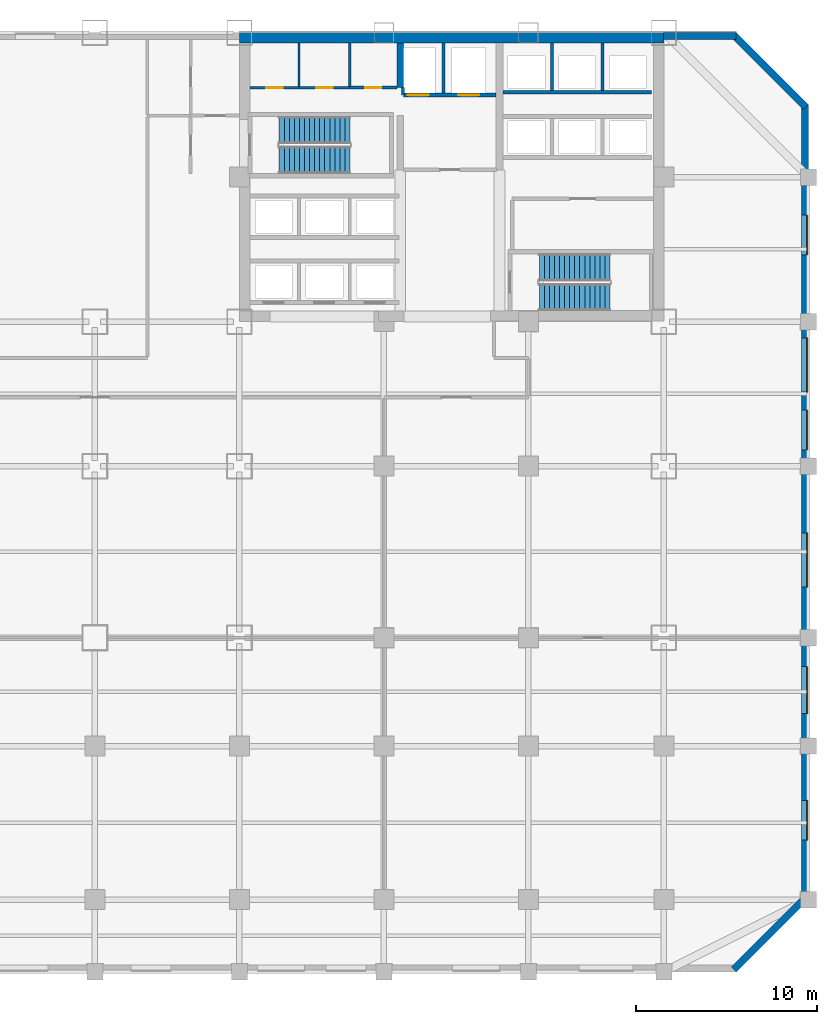
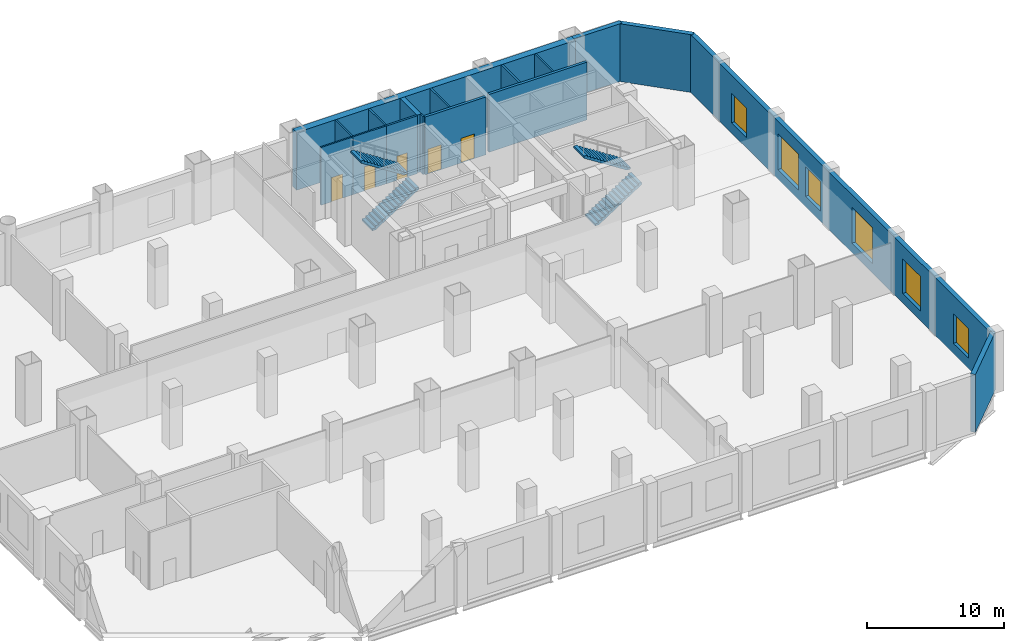
# One storey, part 7 of 9: 17 walls, 6 windows, 5 doors, 4 stair flights, 11 openings, 2 elements without a shape of their own.
"""IFC4 building model written with IfcOpenShell, lengths in metres."""

from ifc_helpers import new_model, si_unit, direction, frame, frame_2d, origin, place, context, subcontext, project, spatial, polyline, rectangle, outline, extrude, material, layer, layer_set, type_object, element, fill, aggregate, save


model = new_model("IFC4")

# Units and contexts
model_context = context("Model", 3, precision=1e-05, world=origin(), true_north=direction((0.0, 1.0)))
body_context = subcontext(model_context, "Body", "Model", "MODEL_VIEW")
ifc_project = project(units=[si_unit("LENGTHUNIT", "METRE"), si_unit("AREAUNIT", "SQUARE_METRE"), si_unit("VOLUMEUNIT", "CUBIC_METRE"), si_unit("PLANEANGLEUNIT", "RADIAN"), si_unit("MASSUNIT", "GRAM", prefix="KILO")], contexts=[model_context])

# Site, building, storey
site_placement = place(None, origin())
site = spatial("IfcSite", under=ifc_project, at=site_placement, CompositionType="ELEMENT")
building_placement = place(site_placement, origin())
building = spatial("IfcBuilding", under=site, at=building_placement, Name="Qianrong Seaharbour Tower", CompositionType="ELEMENT")
storey_placement = place(building_placement, frame((0.0, 0.0, 22.800048828125)))
storey = spatial("IfcBuildingStorey", under=building, at=storey_placement, Name="L05", CompositionType="ELEMENT", Elevation=22.800048828125)

# Walls
ifc_material_1 = material(Name="Concrete C70/85", Category="concrete")
ifc_layer_1 = layer(ifc_material_1, 0.580078125)
ifc_layer_set_1 = layer_set([ifc_layer_1], Name="Concrete C70/85")
wall_type_1 = type_object("IfcWallType", Name="WALL-CORE-580", PredefinedType="SHEAR", material=ifc_layer_set_1)
wall_1_placement = place(storey_placement, frame((40.5, 51.7099609375, 0.0), z_axis=(0.0, 0.0, 1.0), x_axis=(1.0, 0.0, 0.0)))
element("IfcWall", 1, at=wall_1_placement, inside=storey, type_object=wall_type_1, Name="L05 North Core Shear Wall", PredefinedType="SHEAR", context=body_context, shape_type="SweptSolid", body=[
    extrude(rectangle(XDim=23.5, YDim=0.580078125, at=frame_2d((11.75, 0.0))), origin(), (0.0, 0.0, 1.0), 5.14990234375),
])
ifc_material_2 = material(Name="Concrete C60/75", Category="concrete")
ifc_layer_2 = layer(ifc_material_2, 0.3798828125)
ifc_layer_set_2 = layer_set([ifc_layer_2], Name="Concrete C60/75")
wall_type_2 = type_object("IfcWallType", Name="WALL-CORE-INT-380", PredefinedType="SHEAR", material=ifc_layer_set_2)
wall_2_placement = place(storey_placement, frame((49.39990234375, 48.949951171875, 0.0), z_axis=(0.0, 0.0, 1.0), x_axis=(0.0, 1.0, 0.0)))
element("IfcWall", 2, at=wall_2_placement, inside=storey, type_object=wall_type_2, Name="L05 Internal Core Shear Wall IW1N2", PredefinedType="SHEAR", context=body_context, shape_type="SweptSolid", body=[
    extrude(rectangle(XDim=2.469970703125, YDim=0.3798828125, at=frame_2d((1.23486328125, 0.0))), origin(), (0.0, 0.0, 1.0), 5.14990234375),
])

# Wall, opening, door
ifc_material_3 = material(Name="Fire-rated acoustic gypsum board partition")
ifc_layer_3 = layer(ifc_material_3, 0.1650390625)
ifc_layer_set_3 = layer_set([ifc_layer_3], Name="Fire-rated acoustic gypsum board partition")
wall_type_3 = type_object("IfcWallType", Name="WALL-CORR-PART-165", PredefinedType="PARTITIONING", material=ifc_layer_set_3)
wall_3_placement = place(storey_placement, frame((46.60009765625, 48.949951171875, 0.0), z_axis=(0.0, 0.0, 1.0), x_axis=(1.0, 0.0, 0.0)))
wall_3 = element("IfcWall", 3, at=wall_3_placement, inside=storey, type_object=wall_type_3, Name="L05 Interior Partition Wall 008", PredefinedType="PARTITIONING", context=body_context, shape_type="SweptSolid", body=[
    extrude(rectangle(XDim=2.617919921875, YDim=0.1650390625, at=frame_2d((1.30908203125, 0.0))), origin(), (0.0, 0.0, 1.0), 5.14990234375),
])
opening_1_placement = place(wall_3_placement, frame((0.85888671875, 0.0, 0.0)))
opening_1 = element("IfcOpeningElement", 4, at=opening_1_placement, cuts=wall_3, Name="Opening DS-01", PredefinedType="OPENING", context=body_context, shape_type="SweptSolid", body=[
    extrude(rectangle(XDim=0.89990234375, YDim=2.14990234375, at=frame_2d((0.449951171875, 1.074951171875))), frame((0.0, 0.092529296875, 0.0), z_axis=(0.0, -1.0, 0.0), x_axis=(1.0, 0.0, 0.0)), (0.0, 0.0, 1.0), 0.18505859375),
])
ifc_material_4 = material(Name="Acoustic timber and galvanized steel fire door assembly", Category="steel")
door_type_1 = type_object("IfcDoorType", Name="DOOR-STORE-900x2150", OperationType="NOTDEFINED", PredefinedType="DOOR", material=ifc_material_4)
door_1_placement = place(opening_1_placement, origin())
door_1 = element("IfcDoor", 5, at=door_1_placement, inside=storey, type_object=door_type_1, Name="L05 Cleaner Store Room Door", OperationType="SINGLE_SWING_LEFT", OverallHeight=2.14990234375, OverallWidth=0.89990234375, PredefinedType="DOOR", context=body_context, shape_type="SweptSolid", body=[
    extrude(rectangle(XDim=0.89990234375, YDim=2.14990234375, at=frame_2d((0.449951171875, 1.074951171875))), frame((0.0, 0.02490234375, 0.0), z_axis=(0.0, -1.0, 0.0), x_axis=(1.0, 0.0, 0.0)), (0.0, 0.0, 1.0), 0.050048828125),
])
fill(opening_1, door_1)

# Walls
ifc_material_5 = material(Name="Natural honed granite dimension stone", Category="masonry")
ifc_layer_4 = layer(ifc_material_5, 0.3798828125)
ifc_layer_set_4 = layer_set([ifc_layer_4], Name="Natural honed granite dimension stone")
wall_type_4 = type_object("IfcWallType", Name="WALL-EXT-GRANITE-380", PredefinedType="SOLIDWALL", material=ifc_layer_set_4)
wall_4_placement = place(storey_placement, frame((63.97998046875, 51.81005859375, 0.0), z_axis=(0.0, 0.0, 1.0), x_axis=(1.0, 0.0, 0.0)))
element("IfcWall", 6, at=wall_4_placement, inside=storey, type_object=wall_type_4, Name="L05 North-East Podium Facade Wall", PredefinedType="SOLIDWALL", context=body_context, shape_type="SweptSolid", body=[
    extrude(rectangle(XDim=4.02001953125, YDim=0.3798828125, at=frame_2d((2.010009765625, 0.0))), origin(), (0.0, 0.0, 1.0), 5.14990234375),
])
wall_5_placement = place(storey_placement, frame((67.86572265625, 51.86572265625, 0.0), z_axis=(0.0, 0.0, 1.0), x_axis=(0.707106781187, -0.707106781187, 0.0)))
element("IfcWall", 7, at=wall_5_placement, inside=storey, type_object=wall_type_4, Name="L05 Exterior Masonry Facade Wall E03", PredefinedType="SOLIDWALL", context=body_context, shape_type="SweptSolid", body=[
    extrude(rectangle(XDim=5.65673828125, YDim=0.3798828125, at=frame_2d((2.828369140625, 0.0))), origin(), (0.0, 0.0, 1.0), 5.14990234375),
])

# Wall, openings, windows
wall_6_placement = place(storey_placement, frame((71.81005859375, 48.0, 0.0), z_axis=(0.0, 0.0, 1.0), x_axis=(0.0, -1.0, 0.0)))
wall_6 = element("IfcWall", 8, at=wall_6_placement, inside=storey, type_object=wall_type_4, Name="L05 Exterior Masonry Facade Wall EAST_WING", PredefinedType="SOLIDWALL", context=body_context, shape_type="SweptSolid", body=[
    extrude(rectangle(XDim=44.0, YDim=0.3798828125, at=frame_2d((22.0, 0.0))), origin(), (0.0, 0.0, 1.0), 5.14990234375),
])
opening_2_placement = place(wall_6_placement, frame((6.10009765625, 0.0, 0.89990234375)))
opening_2 = element("IfcOpeningElement", 9, at=opening_2_placement, cuts=wall_6, Name="Opening WN-10", PredefinedType="OPENING", context=body_context, shape_type="SweptSolid", body=[
    extrude(rectangle(XDim=2.199951171875, YDim=2.64990234375, at=frame_2d((1.10009765625, 1.324951171875))), frame((0.0, 0.199951171875, 0.0), z_axis=(0.0, -1.0, 0.0), x_axis=(1.0, 0.0, 0.0)), (0.0, 0.0, 1.0), 0.39990234375),
])
opening_3_placement = place(wall_6_placement, frame((12.89990234375, 0.0, 0.85009765625)))
opening_3 = element("IfcOpeningElement", 10, at=opening_3_placement, cuts=wall_6, Name="Opening WN-12", PredefinedType="OPENING", context=body_context, shape_type="SweptSolid", body=[
    extrude(rectangle(XDim=3.0, YDim=3.199951171875, at=frame_2d((1.5, 1.60009765625))), frame((0.0, 0.199951171875, 0.0), z_axis=(0.0, -1.0, 0.0), x_axis=(1.0, 0.0, 0.0)), (0.0, 0.0, 1.0), 0.39990234375),
])
opening_4_placement = place(wall_6_placement, frame((16.89990234375, 0.0, 0.89990234375)))
opening_4 = element("IfcOpeningElement", 11, at=opening_4_placement, cuts=wall_6, Name="Opening WN-10", PredefinedType="OPENING", context=body_context, shape_type="SweptSolid", body=[
    extrude(rectangle(XDim=2.199951171875, YDim=2.64990234375, at=frame_2d((1.10009765625, 1.324951171875))), frame((0.0, 0.199951171875, 0.0), z_axis=(0.0, -1.0, 0.0), x_axis=(1.0, 0.0, 0.0)), (0.0, 0.0, 1.0), 0.39990234375),
])
opening_5_placement = place(wall_6_placement, frame((23.699951171875, 0.0, 0.85009765625)))
opening_5 = element("IfcOpeningElement", 12, at=opening_5_placement, cuts=wall_6, Name="Opening WN-12", PredefinedType="OPENING", context=body_context, shape_type="SweptSolid", body=[
    extrude(rectangle(XDim=3.0, YDim=3.199951171875, at=frame_2d((1.5, 1.60009765625))), frame((0.0, 0.199951171875, 0.0), z_axis=(0.0, -1.0, 0.0), x_axis=(1.0, 0.0, 0.0)), (0.0, 0.0, 1.0), 0.39990234375),
])
opening_6_placement = place(wall_6_placement, frame((31.10009765625, 0.0, 0.85009765625)))
opening_6 = element("IfcOpeningElement", 13, at=opening_6_placement, cuts=wall_6, Name="Opening WN-11", PredefinedType="OPENING", context=body_context, shape_type="SweptSolid", body=[
    extrude(rectangle(XDim=2.60009765625, YDim=3.10009765625, at=frame_2d((1.300048828125, 1.550048828125))), frame((0.0, 0.199951171875, 0.0), z_axis=(0.0, -1.0, 0.0), x_axis=(1.0, 0.0, 0.0)), (0.0, 0.0, 1.0), 0.39990234375),
])
opening_7_placement = place(wall_6_placement, frame((38.5, 0.0, 0.89990234375)))
opening_7 = element("IfcOpeningElement", 14, at=opening_7_placement, cuts=wall_6, Name="Opening WN-10", PredefinedType="OPENING", context=body_context, shape_type="SweptSolid", body=[
    extrude(rectangle(XDim=2.199951171875, YDim=2.64990234375, at=frame_2d((1.10009765625, 1.324951171875))), frame((0.0, 0.199951171875, 0.0), z_axis=(0.0, -1.0, 0.0), x_axis=(1.0, 0.0, 0.0)), (0.0, 0.0, 1.0), 0.39990234375),
])
ifc_material_6 = material(Name="Insulated low-e double glazing in thermally broken aluminium 6063-T6 frame", Category="aluminium")
window_type_1 = type_object("IfcWindowType", Name="WIN-POD-2600x3100", PartitioningType="TRIPLE_PANEL_VERTICAL", PredefinedType="WINDOW", material=ifc_material_6)
window_1_placement = place(opening_6_placement, origin())
window_1 = element("IfcWindow", 15, at=window_1_placement, inside=storey, type_object=window_type_1, Name="L05 Deep-Set Punched Window 04.09", OverallHeight=3.10009765625, OverallWidth=2.60009765625, PartitioningType="TRIPLE_PANEL_VERTICAL", PredefinedType="WINDOW", context=body_context, shape_type="SweptSolid", body=[
    extrude(rectangle(XDim=2.60009765625, YDim=3.10009765625, at=frame_2d((1.300048828125, 1.550048828125))), frame((0.0, 0.150146484375, 0.0), z_axis=(0.0, -1.0, 0.0), x_axis=(1.0, 0.0, 0.0)), (0.0, 0.0, 1.0), 0.06005859375),
])
fill(opening_6, window_1)
window_type_2 = type_object("IfcWindowType", Name="WIN-POD-3000x3200", PartitioningType="TRIPLE_PANEL_VERTICAL", PredefinedType="WINDOW", material=ifc_material_6)
window_2_placement = place(opening_3_placement, origin())
window_2 = element("IfcWindow", 16, at=window_2_placement, inside=storey, type_object=window_type_2, Name="L05 Deep-Set Punched Window 04.04", OverallHeight=3.199951171875, OverallWidth=3.0, PartitioningType="TRIPLE_PANEL_VERTICAL", PredefinedType="WINDOW", context=body_context, shape_type="SweptSolid", body=[
    extrude(rectangle(XDim=3.0, YDim=3.199951171875, at=frame_2d((1.5, 1.60009765625))), frame((0.0, 0.150146484375, 0.0), z_axis=(0.0, -1.0, 0.0), x_axis=(1.0, 0.0, 0.0)), (0.0, 0.0, 1.0), 0.06005859375),
])
fill(opening_3, window_2)
window_3_placement = place(opening_5_placement, origin())
window_3 = element("IfcWindow", 17, at=window_3_placement, inside=storey, type_object=window_type_2, Name="L05 Deep-Set Punched Window 04.07", OverallHeight=3.199951171875, OverallWidth=3.0, PartitioningType="TRIPLE_PANEL_VERTICAL", PredefinedType="WINDOW", context=body_context, shape_type="SweptSolid", body=[
    extrude(rectangle(XDim=3.0, YDim=3.199951171875, at=frame_2d((1.5, 1.60009765625))), frame((0.0, 0.150146484375, 0.0), z_axis=(0.0, -1.0, 0.0), x_axis=(1.0, 0.0, 0.0)), (0.0, 0.0, 1.0), 0.06005859375),
])
fill(opening_5, window_3)
window_type_3 = type_object("IfcWindowType", Name="WIN-PUNCH-2200x2650", PartitioningType="TRIPLE_PANEL_VERTICAL", PredefinedType="WINDOW", material=ifc_material_6)
window_4_placement = place(opening_2_placement, origin())
window_4 = element("IfcWindow", 18, at=window_4_placement, inside=storey, type_object=window_type_3, Name="L05 Deep-Set Punched Window 04.02", OverallHeight=2.64990234375, OverallWidth=2.199951171875, PartitioningType="TRIPLE_PANEL_VERTICAL", PredefinedType="WINDOW", context=body_context, shape_type="SweptSolid", body=[
    extrude(rectangle(XDim=2.199951171875, YDim=2.64990234375, at=frame_2d((1.10009765625, 1.324951171875))), frame((0.0, 0.150146484375, 0.0), z_axis=(0.0, -1.0, 0.0), x_axis=(1.0, 0.0, 0.0)), (0.0, 0.0, 1.0), 0.06005859375),
])
fill(opening_2, window_4)
window_5_placement = place(opening_4_placement, origin())
window_5 = element("IfcWindow", 19, at=window_5_placement, inside=storey, type_object=window_type_3, Name="L05 Deep-Set Punched Window 04.05", OverallHeight=2.64990234375, OverallWidth=2.199951171875, PartitioningType="TRIPLE_PANEL_VERTICAL", PredefinedType="WINDOW", context=body_context, shape_type="SweptSolid", body=[
    extrude(rectangle(XDim=2.199951171875, YDim=2.64990234375, at=frame_2d((1.10009765625, 1.324951171875))), frame((0.0, 0.150146484375, 0.0), z_axis=(0.0, -1.0, 0.0), x_axis=(1.0, 0.0, 0.0)), (0.0, 0.0, 1.0), 0.06005859375),
])
fill(opening_4, window_5)
window_6_placement = place(opening_7_placement, origin())
window_6 = element("IfcWindow", 20, at=window_6_placement, inside=storey, type_object=window_type_3, Name="L05 Deep-Set Punched Window 04.11", OverallHeight=2.64990234375, OverallWidth=2.199951171875, PartitioningType="TRIPLE_PANEL_VERTICAL", PredefinedType="WINDOW", context=body_context, shape_type="SweptSolid", body=[
    extrude(rectangle(XDim=2.199951171875, YDim=2.64990234375, at=frame_2d((1.10009765625, 1.324951171875))), frame((0.0, 0.150146484375, 0.0), z_axis=(0.0, -1.0, 0.0), x_axis=(1.0, 0.0, 0.0)), (0.0, 0.0, 1.0), 0.06005859375),
])
fill(opening_7, window_6)

# Walls
wall_7_placement = place(storey_placement, frame((71.86572265625, 4.13427734375, 0.0), z_axis=(0.0, 0.0, 1.0), x_axis=(-0.707106781187, -0.707106781187, 0.0)))
element("IfcWall", 21, at=wall_7_placement, inside=storey, type_object=wall_type_4, Name="L05 Exterior Masonry Facade Wall E05", PredefinedType="SOLIDWALL", context=body_context, shape_type="SweptSolid", body=[
    extrude(rectangle(XDim=5.65673828125, YDim=0.3798828125, at=frame_2d((2.828369140625, 0.0))), origin(), (0.0, 0.0, 1.0), 5.14990234375),
])
ifc_material_7 = material(Name="Fire-rated gypsum board on steel studs", Category="steel")
ifc_layer_5 = layer(ifc_material_7, 0.14990234375)
ifc_layer_set_5 = layer_set([ifc_layer_5], Name="Fire-rated gypsum board on steel studs")
wall_type_5 = type_object("IfcWallType", Name="WALL-SHAFT-DIV-150", PredefinedType="PARTITIONING", material=ifc_layer_set_5)
wall_8_placement = place(storey_placement, frame((51.800048828125, 48.669921875, 0.0), z_axis=(0.0, 0.0, 1.0), x_axis=(0.0, 1.0, 0.0)))
element("IfcWall", 22, at=wall_8_placement, inside=storey, type_object=wall_type_5, Name="L05 Firefighting Lift Shaft Divider Wall", PredefinedType="PARTITIONING", context=body_context, shape_type="SweptSolid", body=[
    extrude(rectangle(XDim=2.75, YDim=0.14990234375, at=frame_2d((1.375, 0.0))), origin(), (0.0, 0.0, 1.0), 5.14990234375),
])
wall_9_placement = place(storey_placement, frame((49.550048828125, 48.550048828125, 0.0), z_axis=(0.0, 0.0, 1.0), x_axis=(0.0, 1.0, 0.0)))
element("IfcWall", 23, at=wall_9_placement, inside=storey, type_object=wall_type_5, Name="L05 Firefighting Lift Shaft West Return Wall", PredefinedType="PARTITIONING", context=body_context, shape_type="SweptSolid", body=[
    extrude(rectangle(XDim=0.39990234375, YDim=0.14990234375, at=frame_2d((0.199951171875, 0.0))), origin(), (0.0, 0.0, 1.0), 5.14990234375),
])
for number, where, z_axis, x_axis, name in (
    (24, (57.800048828125, 48.81005859375, 0.0), (0.0, 0.0, 1.0), (0.0, 1.0, 0.0), "L05 P4 Lift Hoistway Divider 2"),
    (25, (60.60009765625, 48.81005859375, 0.0), (0.0, 0.0, 1.0), (0.0, 1.0, 0.0), "L05 P4 Lift Hoistway Divider 3"),
):
    element("IfcWall", number, at=place(storey_placement, frame(where, z_axis=z_axis, x_axis=x_axis)), inside=storey, type_object=wall_type_5, Name=name, PredefinedType="PARTITIONING", context=body_context, shape_type="SweptSolid", body=[
        extrude(rectangle(XDim=2.60986328125, YDim=0.14990234375, at=frame_2d((1.304931640625, 0.0))), origin(), (0.0, 0.0, 1.0), 5.14990234375),
    ])

# Wall, openings, doors
ifc_layer_6 = layer(ifc_material_7, 0.219970703125)
ifc_layer_set_6 = layer_set([ifc_layer_6], Name="Fire-rated gypsum board on steel studs")
wall_type_6 = type_object("IfcWallType", Name="WALL-SHAFT-GYP220", PredefinedType="PARTITIONING", material=ifc_layer_set_6)
wall_10_placement = place(storey_placement, frame((54.7099609375, 48.550048828125, 0.0), z_axis=(0.0, 0.0, 1.0), x_axis=(-1.0, 0.0, 0.0)))
wall_10 = element("IfcWall", 26, at=wall_10_placement, inside=storey, type_object=wall_type_6, Name="L05 Firefighting Lift Shaft Front Wall", PredefinedType="PARTITIONING", context=body_context, shape_type="SweptSolid", body=[
    extrude(rectangle(XDim=5.119873046875, YDim=0.219970703125, at=frame_2d((2.56005859375, 0.0))), origin(), (0.0, 0.0, 1.0), 5.14990234375),
])
opening_8_placement = place(wall_10_placement, frame((3.735107421875, 0.0, 0.0)))
opening_8 = element("IfcOpeningElement", 27, at=opening_8_placement, cuts=wall_10, Name="Opening LD-01", PredefinedType="OPENING", context=body_context, shape_type="SweptSolid", body=[
    extrude(rectangle(XDim=1.14990234375, YDim=2.199951171875, at=frame_2d((0.574951171875, 1.10009765625))), frame((0.0, 0.1201171875, 0.0), z_axis=(0.0, -1.0, 0.0), x_axis=(1.0, 0.0, 0.0)), (0.0, 0.0, 1.0), 0.239990234375),
])
opening_9_placement = place(wall_10_placement, frame((0.93505859375, 0.0, 0.0)))
opening_9 = element("IfcOpeningElement", 28, at=opening_9_placement, cuts=wall_10, Name="Opening LD-01", PredefinedType="OPENING", context=body_context, shape_type="SweptSolid", body=[
    extrude(rectangle(XDim=1.14990234375, YDim=2.199951171875, at=frame_2d((0.574951171875, 1.10009765625))), frame((0.0, 0.1201171875, 0.0), z_axis=(0.0, -1.0, 0.0), x_axis=(1.0, 0.0, 0.0)), (0.0, 0.0, 1.0), 0.239990234375),
])
ifc_material_8 = material(Name="Stainless steel SUS316L bi-parting lift landing door", Category="steel")
door_type_2 = type_object("IfcDoorType", Name="DOOR-LIFT-FF-1150x2200", OperationType="DOUBLE_DOOR_SLIDING", PredefinedType="DOOR", material=ifc_material_8)
door_2_placement = place(opening_8_placement, origin())
door_2 = element("IfcDoor", 29, at=door_2_placement, inside=storey, type_object=door_type_2, Name="L05 FL-1 Firefighting Lift Landing Door", OperationType="DOUBLE_DOOR_SLIDING", OverallHeight=2.199951171875, OverallWidth=1.14990234375, PredefinedType="DOOR", context=body_context, shape_type="SweptSolid", body=[
    extrude(rectangle(XDim=1.14990234375, YDim=2.199951171875, at=frame_2d((0.574951171875, 1.10009765625))), frame((0.0, 0.02490234375, 0.0), z_axis=(0.0, -1.0, 0.0), x_axis=(1.0, 0.0, 0.0)), (0.0, 0.0, 1.0), 0.050048828125),
])
fill(opening_8, door_2)
door_3_placement = place(opening_9_placement, origin())
door_3 = element("IfcDoor", 30, at=door_3_placement, inside=storey, type_object=door_type_2, Name="L05 FL-2 Firefighting Lift Landing Door", OperationType="DOUBLE_DOOR_SLIDING", OverallHeight=2.199951171875, OverallWidth=1.14990234375, PredefinedType="DOOR", context=body_context, shape_type="SweptSolid", body=[
    extrude(rectangle(XDim=1.14990234375, YDim=2.199951171875, at=frame_2d((0.574951171875, 1.10009765625))), frame((0.0, 0.02490234375, 0.0), z_axis=(0.0, -1.0, 0.0), x_axis=(1.0, 0.0, 0.0)), (0.0, 0.0, 1.0), 0.050048828125),
])
fill(opening_9, door_3)

# Wall
wall_11_placement = place(storey_placement, frame((63.320068359375, 48.699951171875, 0.0), z_axis=(0.0, 0.0, 1.0), x_axis=(-1.0, 0.0, 0.0)))
element("IfcWall", 31, at=wall_11_placement, inside=storey, type_object=wall_type_6, Name="L05 P4 Lift Hoistway Front Wall", PredefinedType="PARTITIONING", context=body_context, shape_type="SweptSolid", body=[
    extrude(rectangle(XDim=8.239990234375, YDim=0.219970703125, at=frame_2d((4.1201171875, 0.0))), origin(), (0.0, 0.0, 1.0), 5.14990234375),
])

# Wall, opening, door
ifc_material_9 = material(Name="Water-resistant cement board sanitary partition")
ifc_layer_7 = layer(ifc_material_9, 0.1298828125)
ifc_layer_set_7 = layer_set([ifc_layer_7], Name="Water-resistant cement board sanitary partition")
wall_type_7 = type_object("IfcWallType", Name="WALL-WET-PART-130", PredefinedType="PARTITIONING", material=ifc_layer_set_7)
wall_12_placement = place(storey_placement, frame((41.080078125, 48.949951171875, 0.0), z_axis=(0.0, 0.0, 1.0), x_axis=(1.0, 0.0, 0.0)))
wall_12 = element("IfcWall", 32, at=wall_12_placement, inside=storey, type_object=wall_type_7, Name="L05 Interior Partition Wall 006", PredefinedType="PARTITIONING", context=body_context, shape_type="SweptSolid", body=[
    extrude(rectangle(XDim=2.719970703125, YDim=0.1298828125, at=frame_2d((1.35986328125, 0.0))), origin(), (0.0, 0.0, 1.0), 5.14990234375),
])
opening_10_placement = place(wall_12_placement, frame((0.89990234375, 0.0, 0.0)))
opening_10 = element("IfcOpeningElement", 33, at=opening_10_placement, cuts=wall_12, Name="Opening DW-01", PredefinedType="OPENING", context=body_context, shape_type="SweptSolid", body=[
    extrude(rectangle(XDim=0.919921875, YDim=2.14990234375, at=frame_2d((0.4599609375, 1.074951171875))), frame((0.0, 0.074951171875, 0.0), z_axis=(0.0, -1.0, 0.0), x_axis=(1.0, 0.0, 0.0)), (0.0, 0.0, 1.0), 0.14990234375),
])
door_type_3 = type_object("IfcDoorType", Name="DOOR-WC-920x2150", OperationType="NOTDEFINED", PredefinedType="DOOR", material=ifc_material_4)
door_4_placement = place(opening_10_placement, origin())
door_4 = element("IfcDoor", 34, at=door_4_placement, inside=storey, type_object=door_type_3, Name="L05 Male Restroom WC Door", OperationType="SINGLE_SWING_LEFT", OverallHeight=2.14990234375, OverallWidth=0.919921875, PredefinedType="DOOR", context=body_context, shape_type="SweptSolid", body=[
    extrude(rectangle(XDim=0.919921875, YDim=2.14990234375, at=frame_2d((0.4599609375, 1.074951171875))), frame((0.0, 0.02490234375, 0.0), z_axis=(0.0, -1.0, 0.0), x_axis=(1.0, 0.0, 0.0)), (0.0, 0.0, 1.0), 0.050048828125),
])
fill(opening_10, door_4)

wall_13_placement = place(storey_placement, frame((43.800048828125, 48.949951171875, 0.0), z_axis=(0.0, 0.0, 1.0), x_axis=(1.0, 0.0, 0.0)))
wall_13 = element("IfcWall", 35, at=wall_13_placement, inside=storey, type_object=wall_type_7, Name="L05 Interior Partition Wall 007", PredefinedType="PARTITIONING", context=body_context, shape_type="SweptSolid", body=[
    extrude(rectangle(XDim=2.800048828125, YDim=0.1298828125, at=frame_2d((1.39990234375, 0.0))), origin(), (0.0, 0.0, 1.0), 5.14990234375),
])
opening_11_placement = place(wall_13_placement, frame((0.93994140625, 0.0, 0.0)))
opening_11 = element("IfcOpeningElement", 36, at=opening_11_placement, cuts=wall_13, Name="Opening DW-01", PredefinedType="OPENING", context=body_context, shape_type="SweptSolid", body=[
    extrude(rectangle(XDim=0.919921875, YDim=2.14990234375, at=frame_2d((0.4599609375, 1.074951171875))), frame((0.0, 0.074951171875, 0.0), z_axis=(0.0, -1.0, 0.0), x_axis=(1.0, 0.0, 0.0)), (0.0, 0.0, 1.0), 0.14990234375),
])
door_5_placement = place(opening_11_placement, origin())
door_5 = element("IfcDoor", 37, at=door_5_placement, inside=storey, type_object=door_type_3, Name="L05 Female Restroom WC Door", OperationType="SINGLE_SWING_RIGHT", OverallHeight=2.14990234375, OverallWidth=0.919921875, PredefinedType="DOOR", context=body_context, shape_type="SweptSolid", body=[
    extrude(rectangle(XDim=0.919921875, YDim=2.14990234375, at=frame_2d((0.4599609375, 1.074951171875))), frame((0.0, 0.02490234375, 0.0), z_axis=(0.0, -1.0, 0.0), x_axis=(1.0, 0.0, 0.0)), (0.0, 0.0, 1.0), 0.050048828125),
])
fill(opening_11, door_5)

# Walls
wall_14_placement = place(storey_placement, frame((43.800048828125, 51.419921875, 0.0), z_axis=(0.0, 0.0, 1.0), x_axis=(0.0, -1.0, 0.0)))
element("IfcWall", 38, at=wall_14_placement, inside=storey, type_object=wall_type_7, Name="L05 Interior Partition Wall 012", PredefinedType="PARTITIONING", context=body_context, shape_type="SweptSolid", body=[
    extrude(rectangle(XDim=2.412841796875, YDim=0.1298828125, at=frame_2d((1.20654296875, 0.0))), origin(), (0.0, 0.0, 1.0), 5.14990234375),
])
wall_15_placement = place(storey_placement, frame((46.60009765625, 51.419921875, 0.0), z_axis=(0.0, 0.0, 1.0), x_axis=(0.0, -1.0, 0.0)))
element("IfcWall", 39, at=wall_15_placement, inside=storey, type_object=wall_type_7, Name="L05 Interior Partition Wall 013", PredefinedType="PARTITIONING", context=body_context, shape_type="SweptSolid", body=[
    extrude(rectangle(XDim=2.3955078125, YDim=0.1298828125, at=frame_2d((1.19775390625, 0.0))), origin(), (0.0, 0.0, 1.0), 5.14990234375),
])

# Stair, stair flights
ifc_material_10 = material(Name="Concrete C50/60", Category="concrete")
stair_type = type_object("IfcStairType", Name="STAIR-DOGLEG-1500-R30", PredefinedType="HALF_TURN_STAIR", material=ifc_material_10)
stair_1_placement = place(storey_placement, origin())
stair_1 = element("IfcStair", 40, at=stair_1_placement, inside=storey, type_object=stair_type, Name="L05 Protected Escape Stair ST-1", PredefinedType="HALF_TURN_STAIR")
stair_flight_type = type_object("IfcStairFlightType", Name="FLIGHT-STR-1500-R30", PredefinedType="STRAIGHT", material=ifc_material_10)
stair_flight_1_placement = place(storey_placement, frame((42.699951171875, 44.949951171875, 0.0), z_axis=(0.0, 0.0, 1.0), x_axis=(1.0, 0.0, 0.0)))
stair_flight_1 = element("IfcStairFlight", 41, at=stair_flight_1_placement, type_object=stair_flight_type, Name="ST-1 flight 1", NumberOfRisers=15, NumberOfTreads=14, PredefinedType="STRAIGHT", RiserHeight=0.18, TreadLength=0.28, context=body_context, shape_type="SweptSolid", body=[
    extrude(outline(polyline([(0.0, 0.0), (0.0, 0.179931640625), (0.280029296875, 0.179931640625), (0.280029296875, 0.360107421875), (0.56005859375, 0.360107421875), (0.56005859375, 0.5400390625), (0.840087890625, 0.5400390625), (0.840087890625, 0.719970703125), (1.1201171875, 0.719970703125), (1.1201171875, 0.89990234375), (1.39990234375, 0.89990234375), (1.39990234375, 1.080078125), (1.679931640625, 1.080078125), (1.679931640625, 1.260009765625), (1.9599609375, 1.260009765625), (1.9599609375, 1.43994140625), (2.239990234375, 1.43994140625), (2.239990234375, 1.6201171875), (2.52001953125, 1.6201171875), (2.52001953125, 1.800048828125), (2.800048828125, 1.800048828125), (2.800048828125, 1.97998046875), (3.080078125, 1.97998046875), (3.080078125, 2.159912109375), (3.360107421875, 2.159912109375), (3.360107421875, 2.340087890625), (3.639892578125, 2.340087890625), (3.639892578125, 2.52001953125), (3.919921875, 2.52001953125), (3.919921875, 2.699951171875), (3.919921875, 2.329833984375), (0.295654296875, 0.0), (0.0, 0.0)])), frame((0.0, 0.75, 0.0), z_axis=(0.0, -1.0, 0.0), x_axis=(1.0, 0.0, 0.0)), (0.0, 0.0, 1.0), 1.5),
])
stair_flight_2_placement = place(storey_placement, frame((46.6201171875, 46.60009765625, 2.699951171875), z_axis=(0.0, 0.0, 1.0), x_axis=(-1.0, 0.0, 0.0)))
stair_flight_2 = element("IfcStairFlight", 42, at=stair_flight_2_placement, type_object=stair_flight_type, Name="ST-1 flight 2", NumberOfRisers=15, NumberOfTreads=14, PredefinedType="STRAIGHT", RiserHeight=0.18, TreadLength=0.28, context=body_context, shape_type="SweptSolid", body=[
    extrude(outline(polyline([(0.0, 0.0), (0.0, 0.179931640625), (0.280029296875, 0.179931640625), (0.280029296875, 0.360107421875), (0.56005859375, 0.360107421875), (0.56005859375, 0.5400390625), (0.840087890625, 0.5400390625), (0.840087890625, 0.719970703125), (1.1201171875, 0.719970703125), (1.1201171875, 0.89990234375), (1.39990234375, 0.89990234375), (1.39990234375, 1.080078125), (1.679931640625, 1.080078125), (1.679931640625, 1.260009765625), (1.9599609375, 1.260009765625), (1.9599609375, 1.43994140625), (2.239990234375, 1.43994140625), (2.239990234375, 1.6201171875), (2.52001953125, 1.6201171875), (2.52001953125, 1.800048828125), (2.800048828125, 1.800048828125), (2.800048828125, 1.97998046875), (3.080078125, 1.97998046875), (3.080078125, 2.159912109375), (3.360107421875, 2.159912109375), (3.360107421875, 2.340087890625), (3.639892578125, 2.340087890625), (3.639892578125, 2.52001953125), (3.919921875, 2.52001953125), (3.919921875, 2.699951171875), (3.919921875, 2.329833984375), (0.295654296875, 0.0), (0.0, 0.0)])), frame((0.0, 0.75, 0.0), z_axis=(0.0, -1.0, 0.0), x_axis=(1.0, 0.0, 0.0)), (0.0, 0.0, 1.0), 1.5),
])
aggregate(stair_1, [stair_flight_1, stair_flight_2])

stair_2_placement = place(storey_placement, origin())
stair_2 = element("IfcStair", 43, at=stair_2_placement, inside=storey, type_object=stair_type, Name="L05 Protected Escape Stair ST-2", PredefinedType="HALF_TURN_STAIR")
stair_flight_3_placement = place(storey_placement, frame((57.10009765625, 37.35009765625, 0.0), z_axis=(0.0, 0.0, 1.0), x_axis=(1.0, 0.0, 0.0)))
stair_flight_3 = element("IfcStairFlight", 44, at=stair_flight_3_placement, type_object=stair_flight_type, Name="ST-2 flight 1", NumberOfRisers=15, NumberOfTreads=14, PredefinedType="STRAIGHT", RiserHeight=0.18, TreadLength=0.28, context=body_context, shape_type="SweptSolid", body=[
    extrude(outline(polyline([(0.0, 0.0), (0.0, 0.179931640625), (0.280029296875, 0.179931640625), (0.280029296875, 0.360107421875), (0.56005859375, 0.360107421875), (0.56005859375, 0.5400390625), (0.840087890625, 0.5400390625), (0.840087890625, 0.719970703125), (1.1201171875, 0.719970703125), (1.1201171875, 0.89990234375), (1.39990234375, 0.89990234375), (1.39990234375, 1.080078125), (1.679931640625, 1.080078125), (1.679931640625, 1.260009765625), (1.9599609375, 1.260009765625), (1.9599609375, 1.43994140625), (2.239990234375, 1.43994140625), (2.239990234375, 1.6201171875), (2.52001953125, 1.6201171875), (2.52001953125, 1.800048828125), (2.800048828125, 1.800048828125), (2.800048828125, 1.97998046875), (3.080078125, 1.97998046875), (3.080078125, 2.159912109375), (3.360107421875, 2.159912109375), (3.360107421875, 2.340087890625), (3.639892578125, 2.340087890625), (3.639892578125, 2.52001953125), (3.919921875, 2.52001953125), (3.919921875, 2.699951171875), (3.919921875, 2.329833984375), (0.295654296875, 0.0), (0.0, 0.0)])), frame((0.0, 0.75, 0.0), z_axis=(0.0, -1.0, 0.0), x_axis=(1.0, 0.0, 0.0)), (0.0, 0.0, 1.0), 1.5),
])
stair_flight_4_placement = place(storey_placement, frame((61.02001953125, 39.0, 2.699951171875), z_axis=(0.0, 0.0, 1.0), x_axis=(-1.0, 0.0, 0.0)))
stair_flight_4 = element("IfcStairFlight", 45, at=stair_flight_4_placement, type_object=stair_flight_type, Name="ST-2 flight 2", NumberOfRisers=15, NumberOfTreads=14, PredefinedType="STRAIGHT", RiserHeight=0.18, TreadLength=0.28, context=body_context, shape_type="SweptSolid", body=[
    extrude(outline(polyline([(0.0, 0.0), (0.0, 0.179931640625), (0.280029296875, 0.179931640625), (0.280029296875, 0.360107421875), (0.56005859375, 0.360107421875), (0.56005859375, 0.5400390625), (0.840087890625, 0.5400390625), (0.840087890625, 0.719970703125), (1.1201171875, 0.719970703125), (1.1201171875, 0.89990234375), (1.39990234375, 0.89990234375), (1.39990234375, 1.080078125), (1.679931640625, 1.080078125), (1.679931640625, 1.260009765625), (1.9599609375, 1.260009765625), (1.9599609375, 1.43994140625), (2.239990234375, 1.43994140625), (2.239990234375, 1.6201171875), (2.52001953125, 1.6201171875), (2.52001953125, 1.800048828125), (2.800048828125, 1.800048828125), (2.800048828125, 1.97998046875), (3.080078125, 1.97998046875), (3.080078125, 2.159912109375), (3.360107421875, 2.159912109375), (3.360107421875, 2.340087890625), (3.639892578125, 2.340087890625), (3.639892578125, 2.52001953125), (3.919921875, 2.52001953125), (3.919921875, 2.699951171875), (3.919921875, 2.329833984375), (0.295654296875, 0.0), (0.0, 0.0)])), frame((0.0, 0.75, 0.0), z_axis=(0.0, -1.0, 0.0), x_axis=(1.0, 0.0, 0.0)), (0.0, 0.0, 1.0), 1.5),
])
aggregate(stair_2, [stair_flight_3, stair_flight_4])

save(model, "model.ifc")
